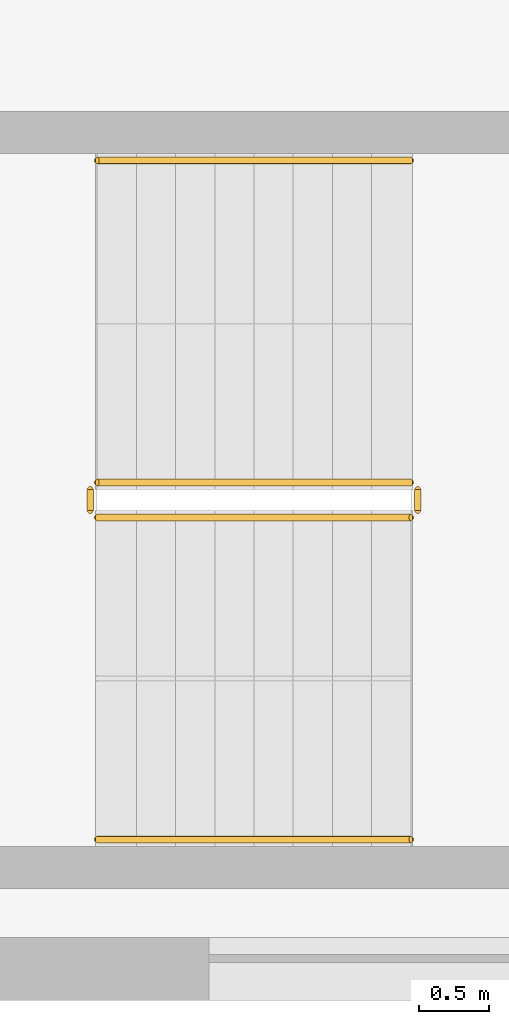
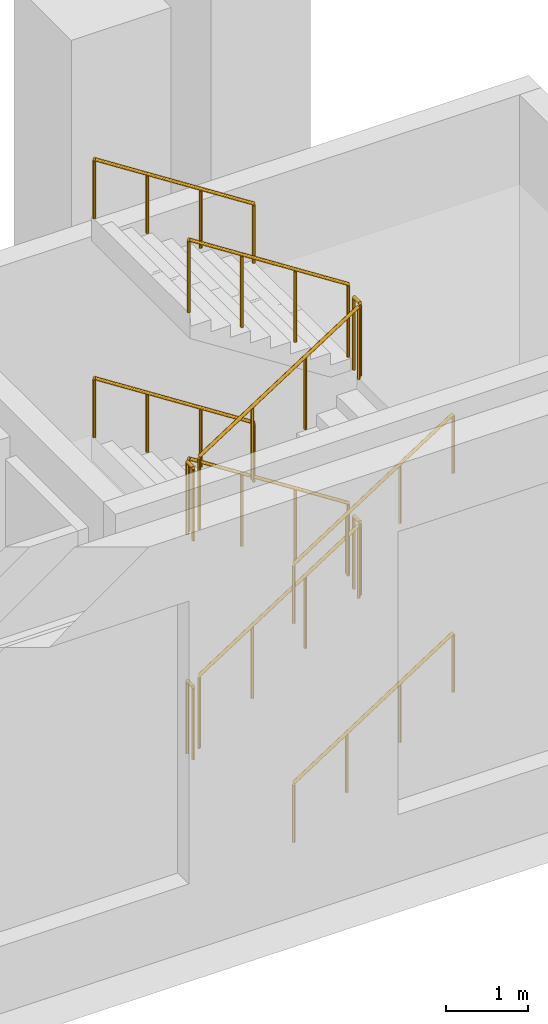
# One storey, part 23 of 30: 12 railings.
"""IFC4 building model written with IfcOpenShell, lengths in metres."""

from ifc_helpers import new_model, si_unit, direction, frame, origin, origin_2d, place, context, subcontext, project, spatial, circle, extrude, material, type_object, element, save


model = new_model("IFC4")

# Units and contexts
model_context = context("Model", 3, precision=1e-05, world=origin(), true_north=direction((0.0, 1.0)))
body_context = subcontext(model_context, "Body", "Model", "MODEL_VIEW")
ifc_project = project(units=[si_unit("LENGTHUNIT", "METRE"), si_unit("AREAUNIT", "SQUARE_METRE"), si_unit("VOLUMEUNIT", "CUBIC_METRE"), si_unit("PLANEANGLEUNIT", "RADIAN"), si_unit("MASSUNIT", "GRAM", prefix="KILO")], contexts=[model_context])

# Site, building, storey
site_placement = place(None, origin())
site = spatial("IfcSite", under=ifc_project, at=site_placement, CompositionType="ELEMENT")
building_placement = place(site_placement, origin())
building = spatial("IfcBuilding", under=site, at=building_placement, Name="Wharfspan Tower", CompositionType="ELEMENT")
storey_placement = place(building_placement, frame((0.0, 0.0, 15.0)))
storey = spatial("IfcBuildingStorey", under=building, at=storey_placement, Name="L02", CompositionType="ELEMENT", Elevation=15.0)

# Railings
ifc_material = material(Name="Steel S355J2", Category="steel")
railing_type_1 = type_object("IfcRailingType", Name="Podium guard 1100", PredefinedType="GUARDRAIL", material=ifc_material)
railing_1_placement = place(storey_placement, frame((43.699951, -28.550049, 0.180664)))
element("IfcRailing", 1, at=railing_1_placement, inside=storey, type_object=railing_type_1, Name="L02 AS5 stair guard 1", PredefinedType="GUARDRAIL", context=body_context, shape_type="SweptSolid", body=[
    extrude(circle(Radius=0.023926, at=origin_2d()), frame((0.0, 0.0, 1.076172), z_axis=(0.840437, 0.0, 0.54191), x_axis=(0.0, 1.0, 0.0)), (0.0, 0.0, 1.0), 2.665283),
    extrude(circle(Radius=0.020996, at=origin_2d()), origin(), (0.0, 0.0, 1.0), 1.052002),
    extrude(circle(Radius=0.020996, at=origin_2d()), frame((0.746582, 0.0, 0.481445)), (0.0, 0.0, 1.0), 1.052002),
    extrude(circle(Radius=0.020996, at=origin_2d()), frame((1.493408, 0.0, 0.962891)), (0.0, 0.0, 1.0), 1.052002),
    extrude(circle(Radius=0.020996, at=origin_2d()), frame((2.23999, 0.0, 1.444336)), (0.0, 0.0, 1.0), 1.052002),
])
railing_2_placement = place(storey_placement, frame((45.98999, -28.5, 1.625)))
element("IfcRailing", 2, at=railing_2_placement, inside=storey, type_object=railing_type_1, Name="L02 AS5 stair guard 2", PredefinedType="GUARDRAIL", context=body_context, shape_type="SweptSolid", body=[
    extrude(circle(Radius=0.023926, at=origin_2d()), frame((0.0, 0.0, 1.076172), z_axis=(0.0, 1.0, 0.0), x_axis=(-1.0, 0.0, 0.0)), (0.0, 0.0, 1.0), 0.149902),
    extrude(circle(Radius=0.020996, at=origin_2d()), origin(), (0.0, 0.0, 1.0), 1.052002),
    extrude(circle(Radius=0.020996, at=origin_2d()), frame((0.0, 0.149902, 0.0)), (0.0, 0.0, 1.0), 1.052002),
])
railing_3_placement = place(storey_placement, frame((45.939941, -28.300049, 1.805664)))
element("IfcRailing", 3, at=railing_3_placement, inside=storey, type_object=railing_type_1, Name="L02 AS5 stair guard 3", PredefinedType="GUARDRAIL", context=body_context, shape_type="SweptSolid", body=[
    extrude(circle(Radius=0.023926, at=origin_2d()), frame((0.0, 0.0, 1.076172), z_axis=(-0.840437, 0.0, 0.54191), x_axis=(0.0, -1.0, 0.0)), (0.0, 0.0, 1.0), 2.665283),
    extrude(circle(Radius=0.020996, at=origin_2d()), origin(), (0.0, 0.0, 1.0), 1.052002),
    extrude(circle(Radius=0.020996, at=origin_2d()), frame((-0.746582, 0.0, 0.481445)), (0.0, 0.0, 1.0), 1.052002),
    extrude(circle(Radius=0.020996, at=origin_2d()), frame((-1.493408, 0.0, 0.962891)), (0.0, 0.0, 1.0), 1.052002),
    extrude(circle(Radius=0.020996, at=origin_2d()), frame((-2.23999, 0.0, 1.444336)), (0.0, 0.0, 1.0), 1.052002),
])
railing_4_placement = place(storey_placement, frame((43.649902, -28.5, 3.25)))
element("IfcRailing", 4, at=railing_4_placement, inside=storey, type_object=railing_type_1, Name="L02 AS5 stair guard 4", PredefinedType="GUARDRAIL", context=body_context, shape_type="SweptSolid", body=[
    extrude(circle(Radius=0.023926, at=origin_2d()), frame((0.0, 0.0, 1.076172), z_axis=(0.0, 1.0, 0.0), x_axis=(-1.0, 0.0, 0.0)), (0.0, 0.0, 1.0), 0.149902),
    extrude(circle(Radius=0.020996, at=origin_2d()), origin(), (0.0, 0.0, 1.0), 1.052002),
    extrude(circle(Radius=0.020996, at=origin_2d()), frame((0.0, 0.149902, 0.0)), (0.0, 0.0, 1.0), 1.052002),
])
railing_5_placement = place(storey_placement, frame((43.699951, -28.550049, 3.430664)))
element("IfcRailing", 5, at=railing_5_placement, inside=storey, type_object=railing_type_1, Name="L02 AS5 stair guard 5", PredefinedType="GUARDRAIL", context=body_context, shape_type="SweptSolid", body=[
    extrude(circle(Radius=0.023926, at=origin_2d()), frame((0.0, 0.0, 1.076172), z_axis=(0.840437, 0.0, 0.54191), x_axis=(0.0, 1.0, 0.0)), (0.0, 0.0, 1.0), 2.665283),
    extrude(circle(Radius=0.020996, at=origin_2d()), origin(), (0.0, 0.0, 1.0), 1.052002),
    extrude(circle(Radius=0.020996, at=origin_2d()), frame((0.746582, 0.0, 0.481445)), (0.0, 0.0, 1.0), 1.052002),
    extrude(circle(Radius=0.020996, at=origin_2d()), frame((1.493408, 0.0, 0.962891)), (0.0, 0.0, 1.0), 1.052002),
    extrude(circle(Radius=0.020996, at=origin_2d()), frame((2.23999, 0.0, 1.444336)), (0.0, 0.0, 1.0), 1.052002),
])
railing_6_placement = place(storey_placement, frame((45.98999, -28.5, 4.875)))
element("IfcRailing", 6, at=railing_6_placement, inside=storey, type_object=railing_type_1, Name="L02 AS5 stair guard 6", PredefinedType="GUARDRAIL", context=body_context, shape_type="SweptSolid", body=[
    extrude(circle(Radius=0.023926, at=origin_2d()), frame((0.0, 0.0, 1.076172), z_axis=(0.0, 1.0, 0.0), x_axis=(-1.0, 0.0, 0.0)), (0.0, 0.0, 1.0), 0.149902),
    extrude(circle(Radius=0.020996, at=origin_2d()), origin(), (0.0, 0.0, 1.0), 1.052002),
    extrude(circle(Radius=0.020996, at=origin_2d()), frame((0.0, 0.149902, 0.0)), (0.0, 0.0, 1.0), 1.052002),
])
railing_7_placement = place(storey_placement, frame((45.939941, -28.300049, 5.055664)))
element("IfcRailing", 7, at=railing_7_placement, inside=storey, type_object=railing_type_1, Name="L02 AS5 stair guard 7", PredefinedType="GUARDRAIL", context=body_context, shape_type="SweptSolid", body=[
    extrude(circle(Radius=0.023926, at=origin_2d()), frame((0.0, 0.0, 1.076172), z_axis=(-0.840437, 0.0, 0.54191), x_axis=(0.0, -1.0, 0.0)), (0.0, 0.0, 1.0), 2.665283),
    extrude(circle(Radius=0.020996, at=origin_2d()), origin(), (0.0, 0.0, 1.0), 1.052002),
    extrude(circle(Radius=0.020996, at=origin_2d()), frame((-0.746582, 0.0, 0.481445)), (0.0, 0.0, 1.0), 1.052002),
    extrude(circle(Radius=0.020996, at=origin_2d()), frame((-1.493408, 0.0, 0.962891)), (0.0, 0.0, 1.0), 1.052002),
    extrude(circle(Radius=0.020996, at=origin_2d()), frame((-2.23999, 0.0, 1.444336)), (0.0, 0.0, 1.0), 1.052002),
])
railing_8_placement = place(storey_placement, frame((43.649902, -28.5, 0.0)))
element("IfcRailing", 8, at=railing_8_placement, inside=storey, type_object=railing_type_1, Name="L02 AS5 stair guard 8", PredefinedType="GUARDRAIL", context=body_context, shape_type="SweptSolid", body=[
    extrude(circle(Radius=0.023926, at=origin_2d()), frame((0.0, 0.0, 1.076172), z_axis=(0.0, 1.0, 0.0), x_axis=(-1.0, 0.0, 0.0)), (0.0, 0.0, 1.0), 0.149902),
    extrude(circle(Radius=0.020996, at=origin_2d()), origin(), (0.0, 0.0, 1.0), 1.052002),
    extrude(circle(Radius=0.020996, at=origin_2d()), frame((0.0, 0.149902, 0.0)), (0.0, 0.0, 1.0), 1.052002),
])
railing_type_2 = type_object("IfcRailingType", Name="Podium stair handrail 900", PredefinedType="HANDRAIL", material=ifc_material)
railing_9_placement = place(storey_placement, frame((43.699951, -30.850098, 0.180664)))
element("IfcRailing", 9, at=railing_9_placement, inside=storey, type_object=railing_type_2, Name="L02 AS5 stair handrail 1", PredefinedType="HANDRAIL", context=body_context, shape_type="SweptSolid", body=[
    extrude(circle(Radius=0.023926, at=origin_2d()), frame((0.0, 0.0, 0.875977), z_axis=(0.840437, 0.0, 0.54191), x_axis=(0.0, 1.0, 0.0)), (0.0, 0.0, 1.0), 2.665283),
    extrude(circle(Radius=0.020996, at=origin_2d()), origin(), (0.0, 0.0, 1.0), 0.851807),
    extrude(circle(Radius=0.020996, at=origin_2d()), frame((0.746582, 0.0, 0.481445)), (0.0, 0.0, 1.0), 0.851807),
    extrude(circle(Radius=0.020996, at=origin_2d()), frame((1.493408, 0.0, 0.962891)), (0.0, 0.0, 1.0), 0.851807),
    extrude(circle(Radius=0.020996, at=origin_2d()), frame((2.23999, 0.0, 1.444336)), (0.0, 0.0, 1.0), 0.851807),
])
railing_10_placement = place(storey_placement, frame((45.939941, -26.0, 1.805664)))
element("IfcRailing", 10, at=railing_10_placement, inside=storey, type_object=railing_type_2, Name="L02 AS5 stair handrail 2", PredefinedType="HANDRAIL", context=body_context, shape_type="SweptSolid", body=[
    extrude(circle(Radius=0.023926, at=origin_2d()), frame((0.0, 0.0, 0.875977), z_axis=(-0.840437, 0.0, 0.54191), x_axis=(0.0, -1.0, 0.0)), (0.0, 0.0, 1.0), 2.665283),
    extrude(circle(Radius=0.020996, at=origin_2d()), origin(), (0.0, 0.0, 1.0), 0.851807),
    extrude(circle(Radius=0.020996, at=origin_2d()), frame((-0.746582, 0.0, 0.481445)), (0.0, 0.0, 1.0), 0.851807),
    extrude(circle(Radius=0.020996, at=origin_2d()), frame((-1.493408, 0.0, 0.962891)), (0.0, 0.0, 1.0), 0.851807),
    extrude(circle(Radius=0.020996, at=origin_2d()), frame((-2.23999, 0.0, 1.444336)), (0.0, 0.0, 1.0), 0.851807),
])
railing_11_placement = place(storey_placement, frame((43.699951, -30.850098, 3.430664)))
element("IfcRailing", 11, at=railing_11_placement, inside=storey, type_object=railing_type_2, Name="L02 AS5 stair handrail 3", PredefinedType="HANDRAIL", context=body_context, shape_type="SweptSolid", body=[
    extrude(circle(Radius=0.023926, at=origin_2d()), frame((0.0, 0.0, 0.875977), z_axis=(0.840437, 0.0, 0.54191), x_axis=(0.0, 1.0, 0.0)), (0.0, 0.0, 1.0), 2.665283),
    extrude(circle(Radius=0.020996, at=origin_2d()), origin(), (0.0, 0.0, 1.0), 0.851807),
    extrude(circle(Radius=0.020996, at=origin_2d()), frame((0.746582, 0.0, 0.481445)), (0.0, 0.0, 1.0), 0.851807),
    extrude(circle(Radius=0.020996, at=origin_2d()), frame((1.493408, 0.0, 0.962891)), (0.0, 0.0, 1.0), 0.851807),
    extrude(circle(Radius=0.020996, at=origin_2d()), frame((2.23999, 0.0, 1.444336)), (0.0, 0.0, 1.0), 0.851807),
])
railing_12_placement = place(storey_placement, frame((45.939941, -26.0, 5.055664)))
element("IfcRailing", 12, at=railing_12_placement, inside=storey, type_object=railing_type_2, Name="L02 AS5 stair handrail 4", PredefinedType="HANDRAIL", context=body_context, shape_type="SweptSolid", body=[
    extrude(circle(Radius=0.023926, at=origin_2d()), frame((0.0, 0.0, 0.875977), z_axis=(-0.840437, 0.0, 0.54191), x_axis=(0.0, -1.0, 0.0)), (0.0, 0.0, 1.0), 2.665283),
    extrude(circle(Radius=0.020996, at=origin_2d()), origin(), (0.0, 0.0, 1.0), 0.851807),
    extrude(circle(Radius=0.020996, at=origin_2d()), frame((-0.746582, 0.0, 0.481445)), (0.0, 0.0, 1.0), 0.851807),
    extrude(circle(Radius=0.020996, at=origin_2d()), frame((-1.493408, 0.0, 0.962891)), (0.0, 0.0, 1.0), 0.851807),
    extrude(circle(Radius=0.020996, at=origin_2d()), frame((-2.23999, 0.0, 1.444336)), (0.0, 0.0, 1.0), 0.851807),
])

save(model, "model.ifc")
